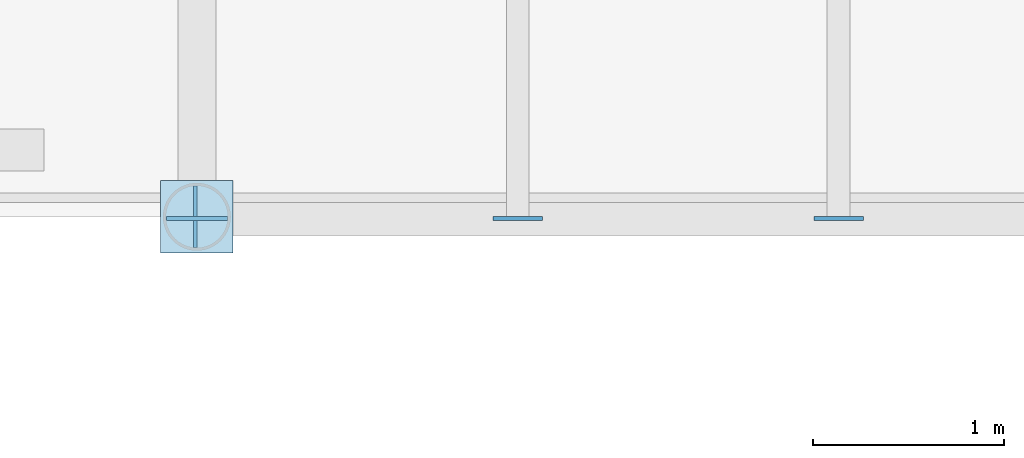
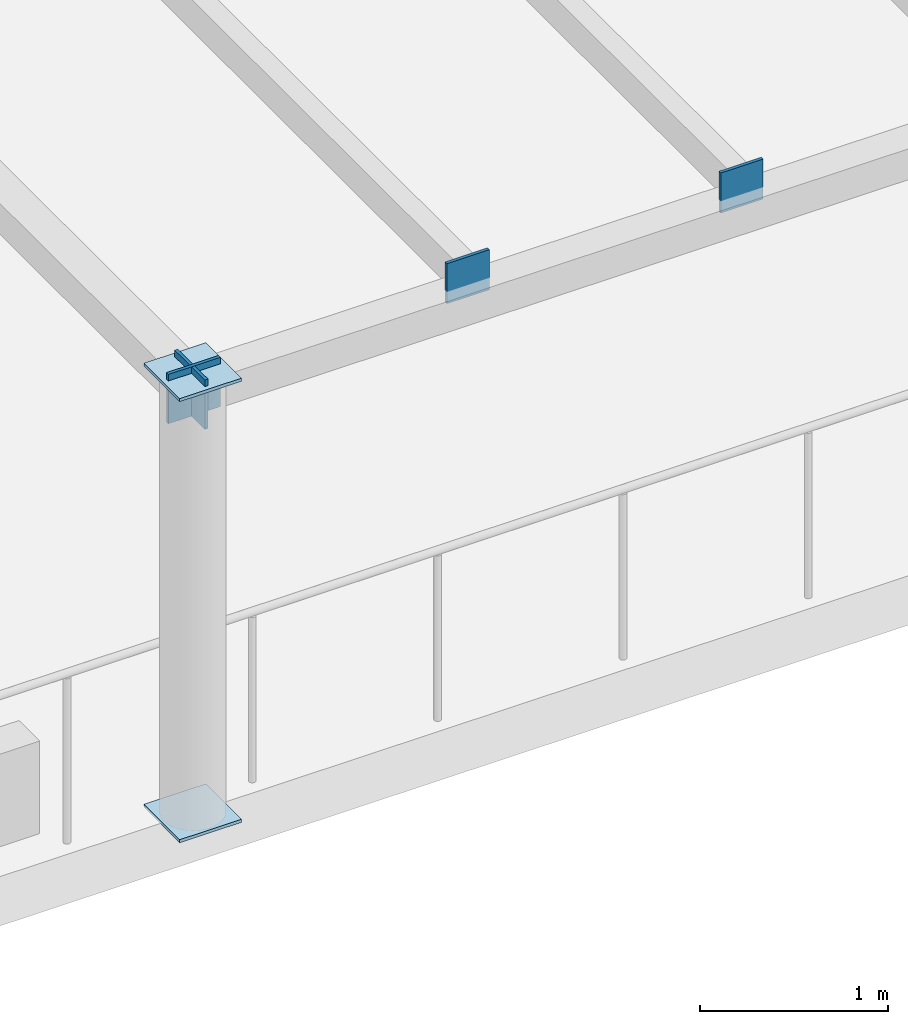
# One storey, part 72 of 111: 6 plates.
"""IFC4 building model written with IfcOpenShell, lengths in metres."""

from ifc_helpers import new_model, si_unit, direction, frame, origin, origin_2d, place, context, subcontext, project, spatial, rectangle, extrude, material, layer, layer_set, type_object, element, save


model = new_model("IFC4")

# Units and contexts
model_context = context("Model", 3, precision=1e-05, world=origin(), true_north=direction((0.0, 1.0)))
body_context = subcontext(model_context, "Body", "Model", "MODEL_VIEW")
ifc_project = project(units=[si_unit("LENGTHUNIT", "METRE"), si_unit("AREAUNIT", "SQUARE_METRE"), si_unit("VOLUMEUNIT", "CUBIC_METRE"), si_unit("PLANEANGLEUNIT", "RADIAN"), si_unit("MASSUNIT", "GRAM", prefix="KILO")], contexts=[model_context])

# Site, building, storey
site_placement = place(None, origin())
site = spatial("IfcSite", under=ifc_project, at=site_placement, CompositionType="ELEMENT")
building_placement = place(site_placement, origin())
building = spatial("IfcBuilding", under=site, at=building_placement, Name="Cumbredor Promenade Congress Hotel", CompositionType="ELEMENT")
storey_placement = place(building_placement, frame((0.0, 0.0, 15.1201171875)))
storey = spatial("IfcBuildingStorey", under=building, at=storey_placement, Name="L04", CompositionType="ELEMENT", Elevation=15.1201171875)

# Plates
ifc_material = material(Name="Steel ASTM A572 Grade 50", Category="steel")
ifc_layer_1 = layer(ifc_material, 0.02001953125, Name="Steel ASTM A572 Grade 50", Category="steel")
ifc_layer_set_1 = layer_set([ifc_layer_1], Name="Steel ASTM A572 Grade 50")
plate_type_1 = type_object("IfcPlateType", Name="Hollow Section End Cap Plate CP-04", PredefinedType="USERDEFINED", material=ifc_layer_set_1)
for number, where, z_axis, x_axis, name in (
    (1, (58.800048828125, 84.0, -0.01318359375), (0.0, 0.0, 1.0), (1.0, 0.0, 0.0), "L04 Sky-Garden Pergola Post 2.1 Start Cap Plate"),
    (2, (58.800048828125, 84.0, 2.847900390625), (0.0, 0.0, 1.0), (1.0, 0.0, 0.0), "L04 Sky-Garden Pergola Post 2.1 End Cap Plate"),
):
    element("IfcPlate", number, at=place(storey_placement, frame(where, z_axis=z_axis, x_axis=x_axis)), inside=storey, type_object=plate_type_1, Name=name, ObjectType="CAP PLATE", PredefinedType="USERDEFINED", context=body_context, shape_type="SweptSolid", body=[
        extrude(rectangle(XDim=0.3798828125, YDim=0.3798828125, at=origin_2d()), origin(), (0.0, 0.0, 1.0), 0.02001953125),
    ])
ifc_layer_2 = layer(ifc_material, 0.02001953125, Name="Steel ASTM A572 Grade 50", Category="steel")
ifc_layer_set_2 = layer_set([ifc_layer_2], Name="Steel ASTM A572 Grade 50")
plate_type_2 = type_object("IfcPlateType", Name="Hollow Section End Cap Plate CP-05", PredefinedType="USERDEFINED", material=ifc_layer_set_2)
for number, where, z_axis, x_axis, name in (
    (3, (58.7919921875, 84.0, 2.58984375), (0.0, 0.0, 1.0), (1.0, 0.0, 0.0), "L04 Sky-Garden Pergola Tie Beam 2S Start Cap Plate"),
    (4, (58.800048828125, 83.991943359375, 2.58984375), (0.0, 0.0, 1.0), (0.0, 1.0, 0.0), "L04 Sky-Garden Pergola Tie Beam 2W Start Cap Plate"),
):
    element("IfcPlate", number, at=place(storey_placement, frame(where, z_axis=z_axis, x_axis=x_axis)), inside=storey, type_object=plate_type_2, Name=name, ObjectType="CAP PLATE", PredefinedType="USERDEFINED", context=body_context, shape_type="SweptSolid", body=[
        extrude(rectangle(XDim=0.02001953125, YDim=0.320068359375, at=origin_2d()), origin(), (0.0, 0.0, 1.0), 0.320068359375),
    ])
ifc_layer_3 = layer(ifc_material, 0.02001953125, Name="Steel ASTM A572 Grade 50", Category="steel")
ifc_layer_set_3 = layer_set([ifc_layer_3], Name="Steel ASTM A572 Grade 50")
plate_type_3 = type_object("IfcPlateType", Name="Hollow Section End Cap Plate CP-06", PredefinedType="USERDEFINED", material=ifc_layer_set_3)
for number, where, z_axis, x_axis, name in (
    (5, (60.47998046875, 83.991943359375, 2.77001953125), (0.0, 0.0, 1.0), (0.0, 1.0, 0.0), "L04 Sky-Garden Trellis Slat 2.2 Start Cap Plate"),
    (6, (62.159912109375, 83.991943359375, 2.77001953125), (0.0, 0.0, 1.0), (0.0, 1.0, 0.0), "L04 Sky-Garden Trellis Slat 2.3 Start Cap Plate"),
):
    element("IfcPlate", number, at=place(storey_placement, frame(where, z_axis=z_axis, x_axis=x_axis)), inside=storey, type_object=plate_type_3, Name=name, ObjectType="CAP PLATE", PredefinedType="USERDEFINED", context=body_context, shape_type="SweptSolid", body=[
        extrude(rectangle(XDim=0.02001953125, YDim=0.260009765625, at=origin_2d()), origin(), (0.0, 0.0, 1.0), 0.260009765625),
    ])

save(model, "model.ifc")
